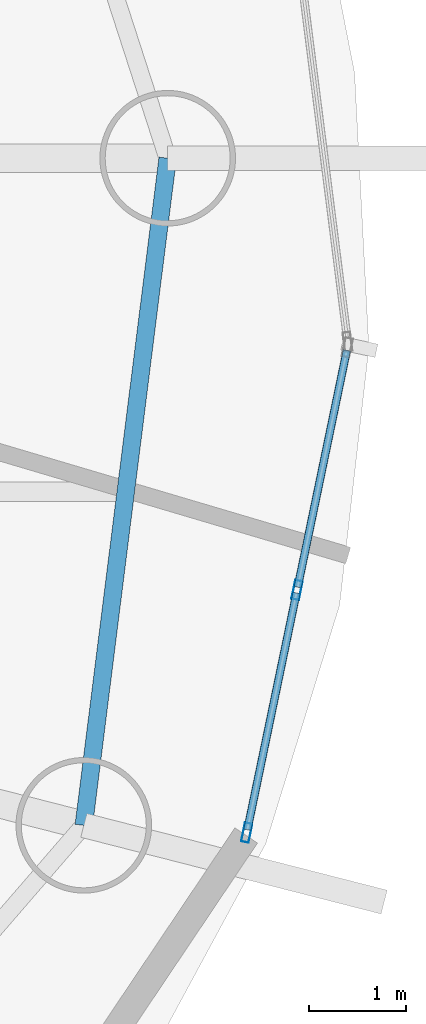
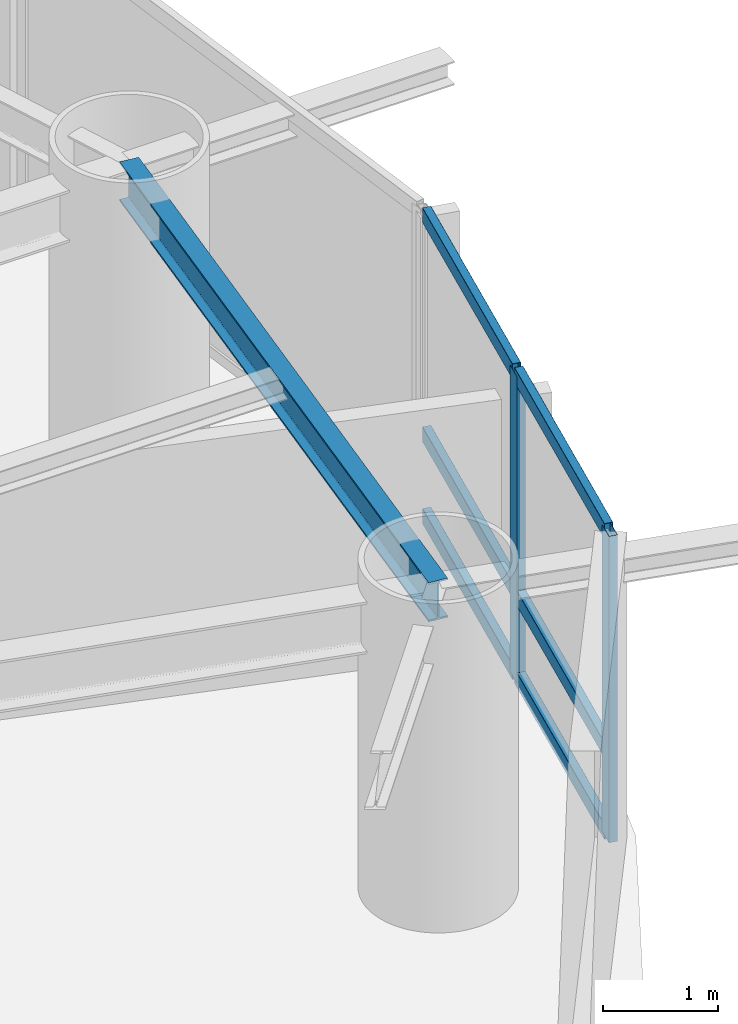
# One storey, part 10 of 26: 8 members, 1 beam, 1 element without a shape of its own.
"""IFC4 building model written with IfcOpenShell, lengths in metres."""

import ifcopenshell
import ifcopenshell.guid

model = None  # the IFC model being written
_history = None  # IfcOwnerHistory: only IFC2X3 demands one
_inside = {}  # id of a spatial element -> (the spatial element, [elements in it])
_under = {}  # id of a project, library or spatial element -> (it, [spatial elements below it])
_declared = {}  # id of a project -> (the project, [libraries it declares])
_typed = {}  # id of a type object -> (the type object, [elements of that type])
_made_of = {}  # id of a material, layer set ... -> (it, [elements and type objects made of it])


def new_model(schema):
    """Start an empty IFC model of exactly this schema.

    Asked for "IFC4X3", IfcOpenShell would pick the latest addendum, in which some entities
    have other attributes; the version numbers below select the first issue.
    IFC2X3 requires an IfcOwnerHistory on every rooted entity: one is made here for all.
    """
    global model, _history
    if schema == "IFC4X3":
        model = ifcopenshell.file(schema_version=(4, 3, 0, 0))
    else:
        model = ifcopenshell.file(schema=schema)
    _inside.clear()
    _under.clear()
    _declared.clear()
    _typed.clear()
    _made_of.clear()
    _history = None
    if model.schema == "IFC2X3":
        org = make("IfcOrganization", Name="unknown")
        user = make(
            "IfcPersonAndOrganization",
            ThePerson=make("IfcPerson", FamilyName="unknown"),
            TheOrganization=org,
        )
        app = make(
            "IfcApplication",
            ApplicationDeveloper=org,
            Version="unknown",
            ApplicationFullName="unknown",
            ApplicationIdentifier="unknown",
        )
        _history = make(
            "IfcOwnerHistory",
            OwningUser=user,
            OwningApplication=app,
            ChangeAction="ADDED",
            CreationDate=0,
        )
    return model


def make(cls, **values):
    """One entity of the class cls with the attributes given. An attribute that is None is left unset."""
    return model.create_entity(
        cls, **{name: value for name, value in values.items() if value is not None}
    )


def rooted(cls, **values):
    """An entity with a GlobalId (a new one), such as an element, a storey or a relation."""
    return make(cls, GlobalId=ifcopenshell.guid.new(), OwnerHistory=_history, **values)


def si_unit(unit_type, name, prefix=None):
    """IfcSIUnit, for example si_unit("LENGTHUNIT", "METRE", prefix="MILLI")."""
    return make("IfcSIUnit", UnitType=unit_type, Prefix=prefix, Name=name)


def assignment(units):
    """IfcUnitAssignment: the units of a project."""
    return None if units is None else make("IfcUnitAssignment", Units=units)


def point(xyz):
    """IfcCartesianPoint."""
    return None if xyz is None else make("IfcCartesianPoint", Coordinates=xyz)


def direction(xyz):
    """IfcDirection."""
    return None if xyz is None else make("IfcDirection", DirectionRatios=xyz)


def frame(location, z_axis=None, x_axis=None):
    """IfcAxis2Placement3D, a coordinate frame: its origin and axes. An axis left out is left unset."""
    return make(
        "IfcAxis2Placement3D",
        Location=point(location),
        Axis=direction(z_axis),
        RefDirection=direction(x_axis),
    )


def frame_2d(location, x_axis=None):
    """IfcAxis2Placement2D, a coordinate frame in the plane: its origin and x axis."""
    return make(
        "IfcAxis2Placement2D", Location=point(location), RefDirection=direction(x_axis)
    )


def origin():
    """The frame at (0, 0, 0) with its axes left unset."""
    return frame((0.0, 0.0, 0.0))


def origin_2d():
    """The frame at (0, 0) in the plane with its x axis left unset."""
    return frame_2d((0.0, 0.0))


def place(relative_to, where):
    """IfcLocalPlacement: puts the frame where relative to a parent placement (None: the world)."""
    return make(
        "IfcLocalPlacement", PlacementRelTo=relative_to, RelativePlacement=where
    )


def context(
    kind, dimensions, precision=None, world=None, true_north=None, identifier=None
):
    """IfcGeometricRepresentationContext, for example the 3D "Model" context."""
    return make(
        "IfcGeometricRepresentationContext",
        ContextIdentifier=identifier,
        ContextType=kind,
        CoordinateSpaceDimension=dimensions,
        Precision=precision,
        WorldCoordinateSystem=world,
        TrueNorth=true_north,
    )


def subcontext(parent, identifier, kind, view, scale=None):
    """IfcGeometricRepresentationSubContext, for example "Body" below "Model"."""
    return make(
        "IfcGeometricRepresentationSubContext",
        ContextIdentifier=identifier,
        ContextType=kind,
        ParentContext=parent,
        TargetScale=scale,
        TargetView=view,
    )


def project(units=None, contexts=None):
    """IfcProject with its units and contexts."""
    return rooted(
        "IfcProject",
        Name="project",
        RepresentationContexts=contexts,
        UnitsInContext=assignment(units),
    )


def spatial(cls, under=None, at=None, **own):
    """A site, building, storey or space (cls), placed at a placement, below another one or the project."""
    s = rooted(cls, ObjectPlacement=at, **own)
    if under is not None:
        _under.setdefault(under.id(), (under, []))[1].append(s)
    return s


def profile(cls, at=None, kind="AREA", **sizes):
    """A parametric profile (cls). Its sizes go by their IFC names, for example OverallWidth=200.0."""
    return make(cls, ProfileType=kind, Position=at, **sizes)


def hollow_rectangle(**sizes):
    """IfcRectangleHollowProfileDef."""
    return profile("IfcRectangleHollowProfileDef", **sizes)


def i_section(**sizes):
    """IfcIShapeProfileDef."""
    return profile("IfcIShapeProfileDef", **sizes)


def extrude(swept, where, along, depth):
    """IfcExtrudedAreaSolid: the profile swept, set in the frame where, extruded along a direction by depth."""
    return make(
        "IfcExtrudedAreaSolid",
        SweptArea=swept,
        Position=where,
        ExtrudedDirection=direction(along),
        Depth=depth,
    )


def shape(context_of_items, identifier, shape_type, items):
    """IfcShapeRepresentation: the items that make up one representation, for example the "Body"."""
    return make(
        "IfcShapeRepresentation",
        ContextOfItems=context_of_items,
        RepresentationIdentifier=identifier,
        RepresentationType=shape_type,
        Items=items,
    )


def material(Name=None, Category=None):
    """IfcMaterial."""
    return make("IfcMaterial", Name=Name, Category=Category)


def layer(
    of_material, thickness, ventilated=None, Name=None, Category=None, Priority=None
):
    """IfcMaterialLayer: one layer of a wall or slab, of a material (None: an air gap)."""
    return make(
        "IfcMaterialLayer",
        Material=of_material,
        LayerThickness=thickness,
        IsVentilated=ventilated,
        Name=Name,
        Category=Category,
        Priority=Priority,
    )


def layer_set(layers, Name=None):
    """IfcMaterialLayerSet."""
    return make("IfcMaterialLayerSet", MaterialLayers=layers, LayerSetName=Name)


def material_profile(
    of_material, cross_section, Name=None, Category=None, Priority=None
):
    """IfcMaterialProfile: a cross section and its material."""
    return make(
        "IfcMaterialProfile",
        Name=Name,
        Material=of_material,
        Profile=cross_section,
        Priority=Priority,
        Category=Category,
    )


def profile_set(profiles, Name=None, composite=None):
    """IfcMaterialProfileSet."""
    return make(
        "IfcMaterialProfileSet",
        Name=Name,
        MaterialProfiles=profiles,
        CompositeProfile=composite,
    )


def made_of(thing, what):
    """Note that an element or type object is made of a material, layer set ...; save() writes the relation."""
    if what is not None:
        _made_of.setdefault(what.id(), (what, []))[1].append(thing)
    return thing


def type_object(cls, material=None, **own):
    """A type object (cls), such as IfcWallType, which elements share."""
    return made_of(rooted(cls, **own), material)


def element(
    cls,
    number,
    at=None,
    inside=None,
    cuts=None,
    type_object=None,
    material=None,
    context=None,
    identifier="Body",
    shape_type=None,
    held_by="IfcProductDefinitionShape",
    body=None,
    shapes=None,
    **own,
):
    """One element of the class cls, such as IfcWall. Its Tag is "e" and its number.

    at: its placement. inside: the storey or other place that contains it. cuts: it is an
    opening in that element (IfcRelVoidsElement). A single representation is given by context,
    identifier, shape_type and body (its items); several are given by shapes. held_by: the class
    of the entity that holds the representations. save() writes the other relations.
    """
    e = rooted(cls, Tag="e%d" % number, ObjectPlacement=at, **own)
    if body is not None:
        shapes = [shape(context, identifier, shape_type, body)]
    if shapes is not None:
        e.Representation = make(held_by, Representations=shapes)
    if inside is not None:
        _inside.setdefault(inside.id(), (inside, []))[1].append(e)
    if cuts is not None:
        rooted(
            "IfcRelVoidsElement", RelatingBuildingElement=cuts, RelatedOpeningElement=e
        )
    if type_object is not None:
        _typed.setdefault(type_object.id(), (type_object, []))[1].append(e)
    return made_of(e, material)


def aggregate(whole, parts):
    """IfcRelAggregates: a whole, such as a stair, and the parts it consists of."""
    return rooted("IfcRelAggregates", RelatingObject=whole, RelatedObjects=parts)


def save(model, path):
    """Write the relations noted so far, then the file.

    IfcRelAggregates (storeys below a building ...), IfcRelContainedInSpatialStructure (elements
    in a storey), IfcRelDefinesByType, IfcRelAssociatesMaterial and IfcRelDeclares: one each for
    every whole, place, type object, material and project.
    """
    for whole, parts in _under.values():
        aggregate(whole, parts)
    for where, things in _inside.values():
        rooted(
            "IfcRelContainedInSpatialStructure",
            RelatedElements=things,
            RelatingStructure=where,
        )
    for kind, things in _typed.values():
        rooted("IfcRelDefinesByType", RelatedObjects=things, RelatingType=kind)
    for what, things in _made_of.values():
        rooted("IfcRelAssociatesMaterial", RelatedObjects=things, RelatingMaterial=what)
    for by, libraries in _declared.values():
        rooted("IfcRelDeclares", RelatingContext=by, RelatedDefinitions=libraries)
    model.write(path)


model = new_model("IFC4")

# Units and contexts
model_context = context("Model", 3, precision=1e-05, world=origin(), true_north=direction((0.0, 1.0)))
body_context = subcontext(model_context, "Body", "Model", "MODEL_VIEW")
ifc_project = project(units=[si_unit("LENGTHUNIT", "METRE"), si_unit("AREAUNIT", "SQUARE_METRE"), si_unit("VOLUMEUNIT", "CUBIC_METRE"), si_unit("PLANEANGLEUNIT", "RADIAN"), si_unit("MASSUNIT", "GRAM", prefix="KILO")], contexts=[model_context])

# Site, building, storey
site_placement = place(None, origin())
site = spatial("IfcSite", under=ifc_project, at=site_placement, CompositionType="ELEMENT")
building_placement = place(site_placement, origin())
building = spatial("IfcBuilding", under=site, at=building_placement, Name="Bramvorn Convention Spire", CompositionType="ELEMENT")
storey_placement = place(building_placement, frame((0.0, 0.0, 123.800048828125)))
storey = spatial("IfcBuildingStorey", under=building, at=storey_placement, Name="L30", CompositionType="ELEMENT", Elevation=123.800048828125)

# Beam
ifc_material_1 = material(Name="Steel CSA G40.21 Grade 350 (350W)", Category="steel")
ifc_material_profile_1 = material_profile(ifc_material_1, i_section(OverallWidth=0.180908203125, OverallDepth=0.4169921875, WebThickness=0.010986328125, FlangeThickness=0.018310546875, FilletRadius=0.01611328125, at=origin_2d()))
ifc_profile_set_1 = profile_set([ifc_material_profile_1], Name="Steel CSA G40.21 Grade 350 (350W) - W410X85")
beam_type = type_object("IfcBeamType", Name="BM-W410X85", PredefinedType="JOIST", material=ifc_profile_set_1)
beam_placement = place(storey_placement, frame((62.11767578125, 15.26220703125, 3.051513671875), z_axis=(0.124775053879, 0.992185056292, 0.0), x_axis=(-0.992185056292, 0.124775053879, 0.0)))
element("IfcBeam", 1, at=beam_placement, inside=storey, type_object=beam_type, Name="L30 mega-column ring beam 01", PredefinedType="JOIST", context=body_context, shape_type="SweptSolid", body=[
    extrude(i_section(OverallWidth=0.180908203125, OverallDepth=0.4169921875, WebThickness=0.010986328125, FlangeThickness=0.018310546875, FilletRadius=0.01611328125, at=origin_2d()), origin(), (0.0, 0.0, 1.0), 6.940185546875),
])

# Curtain wall, members
ifc_material_2 = material(Name="Anodised Bronze Unitised Curtain Wall", Category="aluminium")
ifc_layer = layer(ifc_material_2, 0.179931640625)
ifc_layer_set = layer_set([ifc_layer], Name="Anodised Bronze Unitised Curtain Wall - CW-HTL-FRIT")
curtain_wall_type = type_object("IfcCurtainWallType", Name="CW-HTL-FRIT", PredefinedType="USERDEFINED", material=ifc_layer_set)
curtain_wall_placement = place(storey_placement, origin())
curtain_wall = element("IfcCurtainWall", 2, at=curtain_wall_placement, inside=storey, type_object=curtain_wall_type, Name="L30 fritted glass curtain wall 01", ObjectType="UNITISED CURTAIN WALL", PredefinedType="USERDEFINED")
ifc_material_3 = material(Name="Anodised Bronze Aluminium 6063-T6", Category="aluminium")
ifc_material_profile_2 = material_profile(ifc_material_3, hollow_rectangle(XDim=0.080078125, YDim=0.199951171875, WallThickness=0.00390625, InnerFilletRadius=0.0009765625, OuterFilletRadius=0.00390625, at=origin_2d()))
ifc_profile_set_2 = profile_set([ifc_material_profile_2], Name="Anodised Bronze Aluminium 6063-T6 - CWM80X200")
member_type_1 = type_object("IfcMemberType", Name="CW-MUL-180", PredefinedType="MULLION", material=ifc_profile_set_2)
member_1_placement = place(storey_placement, frame((64.3193359375, 17.6904296875, 0.0), z_axis=(0.0, 0.0, 1.0), x_axis=(0.979146822736, -0.203153881394, 0.0)))
member_1 = element("IfcMember", 3, at=member_1_placement, type_object=member_type_1, Name="CW2 mullion 2", PredefinedType="MULLION", context=body_context, shape_type="SweptSolid", body=[
    extrude(hollow_rectangle(XDim=0.080078125, YDim=0.199951171875, WallThickness=0.00390625, InnerFilletRadius=0.0009765625, OuterFilletRadius=0.00390625, at=origin_2d()), origin(), (0.0, 0.0, 1.0), 3.260009765625),
])
member_2_placement = place(storey_placement, frame((63.7998046875, 15.186767578125, 0.0), z_axis=(0.0, 0.0, 1.0), x_axis=(0.979146822736, -0.203153881394, 0.0)))
member_2 = element("IfcMember", 4, at=member_2_placement, type_object=member_type_1, Name="CW2 mullion 3", PredefinedType="MULLION", context=body_context, shape_type="SweptSolid", body=[
    extrude(hollow_rectangle(XDim=0.080078125, YDim=0.199951171875, WallThickness=0.00390625, InnerFilletRadius=0.0009765625, OuterFilletRadius=0.00390625, at=origin_2d()), origin(), (0.0, 0.0, 1.0), 3.260009765625),
])
ifc_material_profile_3 = material_profile(ifc_material_3, hollow_rectangle(XDim=0.080078125, YDim=0.159912109375, WallThickness=0.00390625, InnerFilletRadius=0.0009765625, OuterFilletRadius=0.00390625, at=origin_2d()))
ifc_profile_set_3 = profile_set([ifc_material_profile_3], Name="Anodised Bronze Aluminium 6063-T6 - CWT80X160")
member_type_2 = type_object("IfcMemberType", Name="CW-TRN-150", PredefinedType="USERDEFINED", material=ifc_profile_set_3)
member_3_placement = place(storey_placement, frame((64.832763671875, 20.1650390625, 0.030029296875), z_axis=(-0.203161633098, -0.979145214377, 0.0), x_axis=(0.979145214377, -0.203161633098, 0.0)))
member_3 = element("IfcMember", 5, at=member_3_placement, type_object=member_type_2, Name="CW2 transom 1.1", ObjectType="TRANSOM", PredefinedType="USERDEFINED", context=body_context, shape_type="SweptSolid", body=[
    extrude(hollow_rectangle(XDim=0.080078125, YDim=0.159912109375, WallThickness=0.00390625, InnerFilletRadius=0.0009765625, OuterFilletRadius=0.00390625, at=origin_2d()), origin(), (0.0, 0.0, 1.0), 2.4970703125),
])
member_4_placement = place(storey_placement, frame((64.832763671875, 20.1650390625, 0.89990234375), z_axis=(-0.203161633098, -0.979145214377, 0.0), x_axis=(0.979145214377, -0.203161633098, 0.0)))
member_4 = element("IfcMember", 6, at=member_4_placement, type_object=member_type_2, Name="CW2 transom 1.2", ObjectType="TRANSOM", PredefinedType="USERDEFINED", context=body_context, shape_type="SweptSolid", body=[
    extrude(hollow_rectangle(XDim=0.080078125, YDim=0.159912109375, WallThickness=0.00390625, InnerFilletRadius=0.0009765625, OuterFilletRadius=0.00390625, at=origin_2d()), origin(), (0.0, 0.0, 1.0), 2.4970703125),
])
member_5_placement = place(storey_placement, frame((64.832763671875, 20.1650390625, 3.22998046875), z_axis=(-0.203161633098, -0.979145214377, 0.0), x_axis=(0.979145214377, -0.203161633098, 0.0)))
member_5 = element("IfcMember", 7, at=member_5_placement, type_object=member_type_2, Name="CW2 transom 1.3", ObjectType="TRANSOM", PredefinedType="USERDEFINED", context=body_context, shape_type="SweptSolid", body=[
    extrude(hollow_rectangle(XDim=0.080078125, YDim=0.159912109375, WallThickness=0.00390625, InnerFilletRadius=0.0009765625, OuterFilletRadius=0.00390625, at=origin_2d()), origin(), (0.0, 0.0, 1.0), 2.4970703125),
])
member_6_placement = place(storey_placement, frame((64.313232421875, 17.6611328125, 0.030029296875), z_axis=(-0.203161633098, -0.979145214377, 0.0), x_axis=(0.979145214377, -0.203161633098, 0.0)))
member_6 = element("IfcMember", 8, at=member_6_placement, type_object=member_type_2, Name="CW2 transom 2.1", ObjectType="TRANSOM", PredefinedType="USERDEFINED", context=body_context, shape_type="SweptSolid", body=[
    extrude(hollow_rectangle(XDim=0.080078125, YDim=0.159912109375, WallThickness=0.00390625, InnerFilletRadius=0.0009765625, OuterFilletRadius=0.00390625, at=origin_2d()), origin(), (0.0, 0.0, 1.0), 2.4970703125),
])
member_7_placement = place(storey_placement, frame((64.313232421875, 17.6611328125, 0.89990234375), z_axis=(-0.203161633098, -0.979145214377, 0.0), x_axis=(0.979145214377, -0.203161633098, 0.0)))
member_7 = element("IfcMember", 9, at=member_7_placement, type_object=member_type_2, Name="CW2 transom 2.2", ObjectType="TRANSOM", PredefinedType="USERDEFINED", context=body_context, shape_type="SweptSolid", body=[
    extrude(hollow_rectangle(XDim=0.080078125, YDim=0.159912109375, WallThickness=0.00390625, InnerFilletRadius=0.0009765625, OuterFilletRadius=0.00390625, at=origin_2d()), origin(), (0.0, 0.0, 1.0), 2.4970703125),
])
member_8_placement = place(storey_placement, frame((64.313232421875, 17.6611328125, 3.22998046875), z_axis=(-0.203161633098, -0.979145214377, 0.0), x_axis=(0.979145214377, -0.203161633098, 0.0)))
member_8 = element("IfcMember", 10, at=member_8_placement, type_object=member_type_2, Name="CW2 transom 2.3", ObjectType="TRANSOM", PredefinedType="USERDEFINED", context=body_context, shape_type="SweptSolid", body=[
    extrude(hollow_rectangle(XDim=0.080078125, YDim=0.159912109375, WallThickness=0.00390625, InnerFilletRadius=0.0009765625, OuterFilletRadius=0.00390625, at=origin_2d()), origin(), (0.0, 0.0, 1.0), 2.4970703125),
])
aggregate(curtain_wall, [member_1, member_2, member_3, member_4, member_5, member_6, member_7, member_8])

save(model, "model.ifc")
